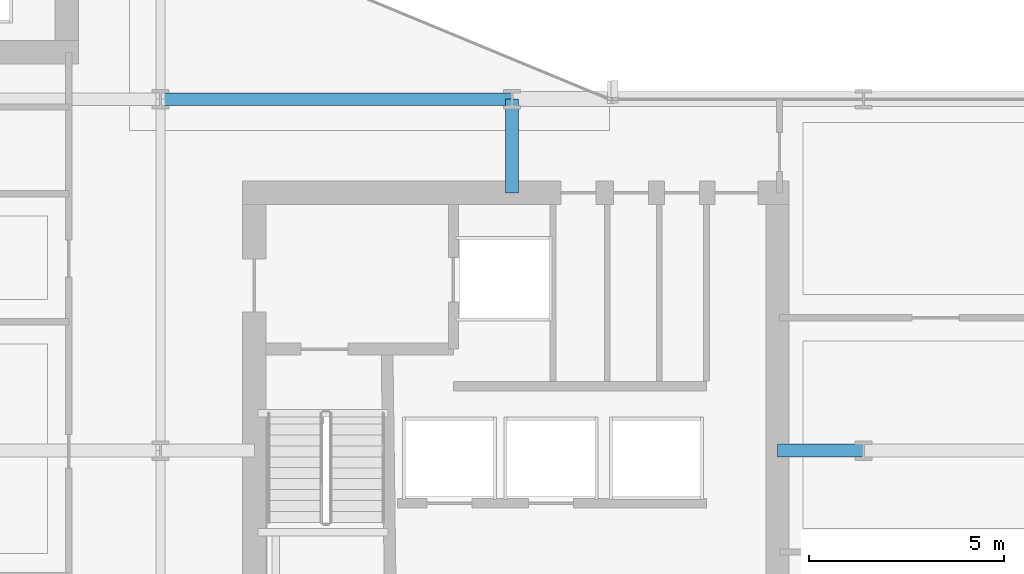
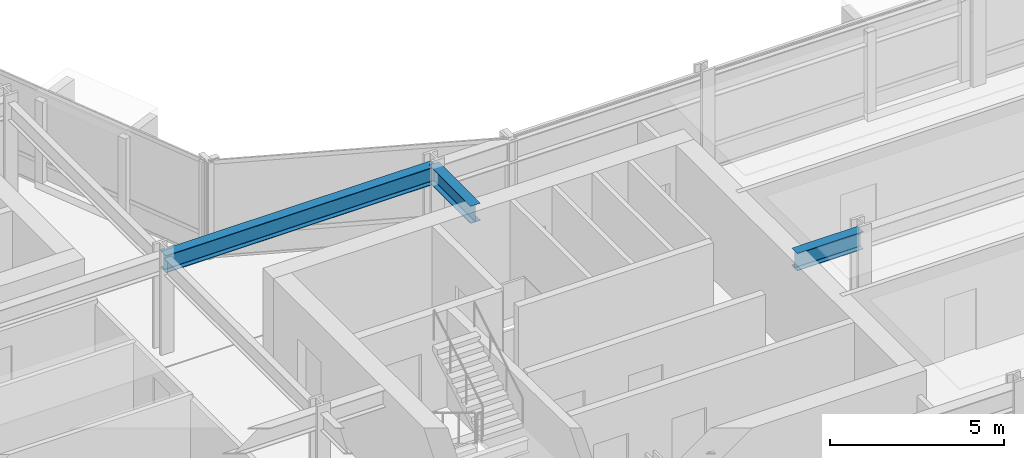
# One storey, part 14 of 34: 3 beams.
"""IFC4 building model written with IfcOpenShell, lengths in metres."""

from ifc_helpers import new_model, si_unit, direction, frame, origin, origin_2d, place, context, subcontext, project, spatial, i_section, extrude, material, material_profile, profile_set, type_object, element, save


model = new_model("IFC4")

# Units and contexts
model_context = context("Model", 3, precision=1e-05, world=origin(), true_north=direction((0.0, 1.0)))
body_context = subcontext(model_context, "Body", "Model", "MODEL_VIEW")
ifc_project = project(units=[si_unit("LENGTHUNIT", "METRE"), si_unit("AREAUNIT", "SQUARE_METRE"), si_unit("VOLUMEUNIT", "CUBIC_METRE"), si_unit("PLANEANGLEUNIT", "RADIAN"), si_unit("MASSUNIT", "GRAM", prefix="KILO")], contexts=[model_context])

# Site, building, storey
site_placement = place(None, origin())
site = spatial("IfcSite", under=ifc_project, at=site_placement, CompositionType="ELEMENT")
building_placement = place(site_placement, origin())
building = spatial("IfcBuilding", under=site, at=building_placement, Name="Solvaryn Broadcast Tower", CompositionType="ELEMENT")
storey_placement = place(building_placement, frame((0.0, 0.0, 39.699951171875)))
storey = spatial("IfcBuildingStorey", under=building, at=storey_placement, Name="L08", CompositionType="ELEMENT", Elevation=39.699951171875)

# Beams
ifc_material = material(Name="Steel ASTM A992 Grade 50", Category="steel")
ifc_material_profile = material_profile(ifc_material, i_section(OverallWidth=0.323974609375, OverallDepth=0.611083984375, WebThickness=0.0126953125, FlangeThickness=0.01904296875, FilletRadius=0.014892578125, at=origin_2d()))
ifc_profile_set = profile_set([ifc_material_profile], Name="Steel ASTM A992 Grade 50")
beam_type = type_object("IfcBeamType", Name="BM-B1-W24X104", PredefinedType="BEAM", material=ifc_profile_set)
beam_1_placement = place(storey_placement, frame((27.0, 27.0, 3.114501953125), z_axis=(1.0, 0.0, 0.0), x_axis=(0.0, 1.0, 0.0)))
element("IfcBeam", 1, at=beam_1_placement, inside=storey, type_object=beam_type, Name="L08 Primary Beam X (27-36 @ Y=27)", PredefinedType="BEAM", context=body_context, shape_type="SweptSolid", body=[
    extrude(i_section(OverallWidth=0.323974609375, OverallDepth=0.611083984375, WebThickness=0.0126953125, FlangeThickness=0.01904296875, FilletRadius=0.014892578125, at=origin_2d()), origin(), (0.0, 0.0, 1.0), 9.0),
])
beam_2_placement = place(storey_placement, frame((36.0, 24.60009765625, 3.114501953125), z_axis=(0.0, 1.0, 0.0), x_axis=(-1.0, 0.0, 0.0)))
element("IfcBeam", 2, at=beam_2_placement, inside=storey, type_object=beam_type, Name="L08 Core Tie Beam CTE2", PredefinedType="BEAM", context=body_context, shape_type="SweptSolid", body=[
    extrude(i_section(OverallWidth=0.323974609375, OverallDepth=0.611083984375, WebThickness=0.0126953125, FlangeThickness=0.01904296875, FilletRadius=0.014892578125, at=origin_2d()), origin(), (0.0, 0.0, 1.0), 2.39990234375),
])
beam_3_placement = place(storey_placement, frame((42.800048828125, 18.0, 3.114501953125), z_axis=(1.0, 0.0, 0.0), x_axis=(0.0, 1.0, 0.0)))
element("IfcBeam", 3, at=beam_3_placement, inside=storey, type_object=beam_type, Name="L08 Core Tie Beam CTE3", PredefinedType="BEAM", context=body_context, shape_type="SweptSolid", body=[
    extrude(i_section(OverallWidth=0.323974609375, OverallDepth=0.611083984375, WebThickness=0.0126953125, FlangeThickness=0.01904296875, FilletRadius=0.014892578125, at=origin_2d()), origin(), (0.0, 0.0, 1.0), 2.199951171875),
])

save(model, "model.ifc")
